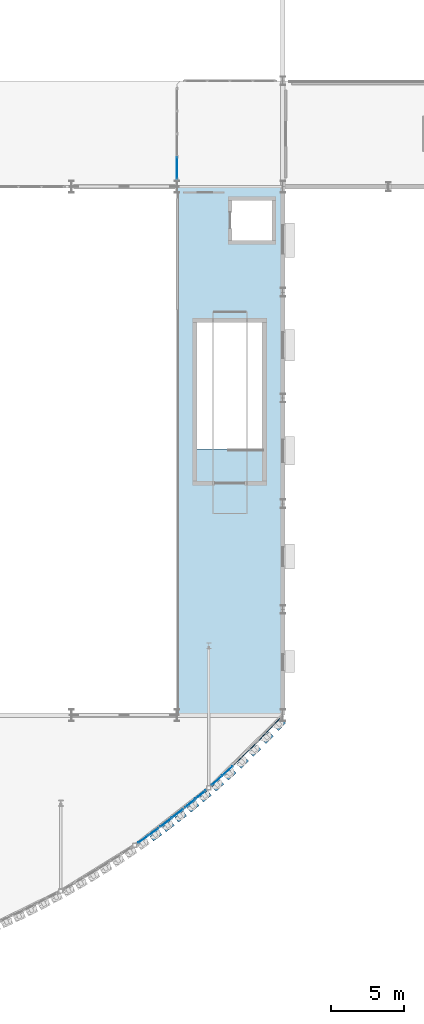
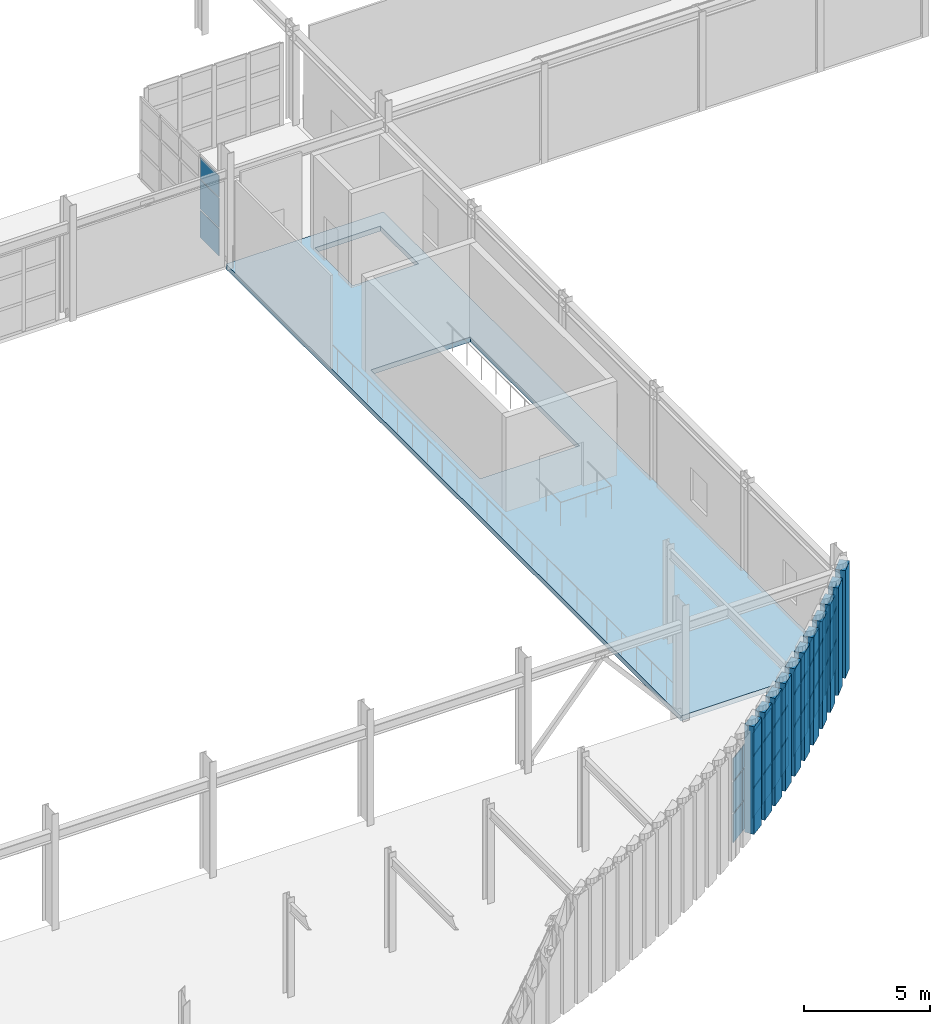
# One storey, part 95 of 126: 56 plates, 1 slab, 7 elements without a shape of their own.
"""IFC4 building model written with IfcOpenShell, lengths in metres."""

from ifc_helpers import new_model, si_unit, direction, frame, origin, origin_2d, place, context, subcontext, project, spatial, polyline, rectangle, outline, extrude, material, layer, layer_set, type_object, element, aggregate, save


model = new_model("IFC4")

# Units and contexts
model_context = context("Model", 3, precision=1e-05, world=origin(), true_north=direction((0.0, 1.0)))
body_context = subcontext(model_context, "Body", "Model", "MODEL_VIEW")
ifc_project = project(units=[si_unit("LENGTHUNIT", "METRE"), si_unit("AREAUNIT", "SQUARE_METRE"), si_unit("VOLUMEUNIT", "CUBIC_METRE"), si_unit("PLANEANGLEUNIT", "RADIAN"), si_unit("MASSUNIT", "GRAM", prefix="KILO")], contexts=[model_context])

# Site, building, storey
site_placement = place(None, origin())
site = spatial("IfcSite", under=ifc_project, at=site_placement, CompositionType="ELEMENT")
building_placement = place(site_placement, origin())
building = spatial("IfcBuilding", under=site, at=building_placement, Name="Solvadek Multi-Sports Hall", CompositionType="ELEMENT")
storey_placement = place(building_placement, frame((0.0, 0.0, 9.60009765625)))
storey = spatial("IfcBuildingStorey", under=building, at=storey_placement, Name="L02", CompositionType="ELEMENT", Elevation=9.60009765625)

# Curtain wall, plates
ifc_material_1 = material(Name="Anodised aluminium", Category="aluminium")
ifc_layer_1 = layer(ifc_material_1, 0.159912109375, Name="Anodised aluminium")
ifc_layer_set_1 = layer_set([ifc_layer_1], Name="Anodised aluminium")
curtain_wall_type_1 = type_object("IfcCurtainWallType", Name="ENV-CW-199X420", PredefinedType="USERDEFINED", material=ifc_layer_set_1)
curtain_wall_1_placement = place(storey_placement, origin())
curtain_wall_1 = element("IfcCurtainWall", 1, at=curtain_wall_1_placement, inside=storey, type_object=curtain_wall_type_1, Name="L02 Crescent Curved Curtain Wall #110", ObjectType="CURTAIN WALL", PredefinedType="USERDEFINED")
ifc_material_2 = material(Name="Tempered laminated low-E glass", Category="glass")
ifc_layer_2 = layer(ifc_material_2, 0.02392578125, Name="Tempered laminated low-E glass")
ifc_layer_set_2 = layer_set([ifc_layer_2], Name="Tempered laminated low-E glass")
plate_type_1 = type_object("IfcPlateType", Name="ENV-CWP-01", PredefinedType="CURTAIN_PANEL", material=ifc_layer_set_2)
plate_1_placement = place(storey_placement, frame((132.319091796875, 1.561279296875, 0.06494140625), z_axis=(0.0, 0.0, 1.0), x_axis=(0.742155760329, 0.670227444536, 0.0)))
plate_1 = element("IfcPlate", 2, at=plate_1_placement, type_object=plate_type_1, Name="CW-35 panel 1.1", PredefinedType="CURTAIN_PANEL", context=body_context, shape_type="SweptSolid", body=[
    extrude(rectangle(XDim=0.90673828125, YDim=0.02392578125, at=origin_2d()), origin(), (0.0, 0.0, 1.0), 1.37255859375),
])
plate_2_placement = place(storey_placement, frame((132.319091796875, 1.561279296875, 1.50244140625), z_axis=(0.0, 0.0, 1.0), x_axis=(0.742155760329, 0.670227444536, 0.0)))
plate_2 = element("IfcPlate", 3, at=plate_2_placement, type_object=plate_type_1, Name="CW-35 panel 1.2", PredefinedType="CURTAIN_PANEL", context=body_context, shape_type="SweptSolid", body=[
    extrude(rectangle(XDim=0.90673828125, YDim=0.02392578125, at=origin_2d()), origin(), (0.0, 0.0, 1.0), 1.489013671875),
])
plate_3_placement = place(storey_placement, frame((132.319091796875, 1.561279296875, 3.056396484375), z_axis=(0.0, 0.0, 1.0), x_axis=(0.742155760329, 0.670227444536, 0.0)))
plate_3 = element("IfcPlate", 4, at=plate_3_placement, type_object=plate_type_1, Name="CW-35 panel 1.3", PredefinedType="CURTAIN_PANEL", context=body_context, shape_type="SweptSolid", body=[
    extrude(rectangle(XDim=0.90673828125, YDim=0.02392578125, at=origin_2d()), origin(), (0.0, 0.0, 1.0), 1.07861328125),
])
plate_4_placement = place(storey_placement, frame((133.03662109375, 2.209228515625, 0.06494140625), z_axis=(0.0, 0.0, 1.0), x_axis=(0.742155760329, 0.670227444536, 0.0)))
plate_4 = element("IfcPlate", 5, at=plate_4_placement, type_object=plate_type_1, Name="CW-35 panel 2.1", PredefinedType="CURTAIN_PANEL", context=body_context, shape_type="SweptSolid", body=[
    extrude(rectangle(XDim=0.90673828125, YDim=0.02392578125, at=origin_2d()), origin(), (0.0, 0.0, 1.0), 1.37255859375),
])
plate_5_placement = place(storey_placement, frame((133.03662109375, 2.209228515625, 1.50244140625), z_axis=(0.0, 0.0, 1.0), x_axis=(0.742155760329, 0.670227444536, 0.0)))
plate_5 = element("IfcPlate", 6, at=plate_5_placement, type_object=plate_type_1, Name="CW-35 panel 2.2", PredefinedType="CURTAIN_PANEL", context=body_context, shape_type="SweptSolid", body=[
    extrude(rectangle(XDim=0.90673828125, YDim=0.02392578125, at=origin_2d()), origin(), (0.0, 0.0, 1.0), 1.489013671875),
])
plate_6_placement = place(storey_placement, frame((133.03662109375, 2.209228515625, 3.056396484375), z_axis=(0.0, 0.0, 1.0), x_axis=(0.742155760329, 0.670227444536, 0.0)))
plate_6 = element("IfcPlate", 7, at=plate_6_placement, type_object=plate_type_1, Name="CW-35 panel 2.3", PredefinedType="CURTAIN_PANEL", context=body_context, shape_type="SweptSolid", body=[
    extrude(rectangle(XDim=0.90673828125, YDim=0.02392578125, at=origin_2d()), origin(), (0.0, 0.0, 1.0), 1.07861328125),
])
aggregate(curtain_wall_1, [plate_1, plate_2, plate_3, plate_4, plate_5, plate_6])

ifc_layer_3 = layer(ifc_material_1, 0.159912109375, Name="Anodised aluminium")
ifc_layer_set_3 = layer_set([ifc_layer_3], Name="Anodised aluminium")
curtain_wall_type_2 = type_object("IfcCurtainWallType", Name="ENV-CW-624X400", PredefinedType="USERDEFINED", material=ifc_layer_set_3)
curtain_wall_2_placement = place(storey_placement, origin())
curtain_wall_2 = element("IfcCurtainWall", 8, at=curtain_wall_2_placement, inside=storey, type_object=curtain_wall_type_2, Name="L02 Perimeter Bay Curtain Wall #210", ObjectType="CURTAIN WALL", PredefinedType="USERDEFINED")
plate_7_placement = place(storey_placement, frame((129.60009765625, 43.27490234375, 0.06494140625), z_axis=(0.0, 0.0, 1.0), x_axis=(0.0, 1.0, 0.0)))
plate_7 = element("IfcPlate", 9, at=plate_7_placement, type_object=plate_type_1, Name="CW-56 panel 1.1", PredefinedType="CURTAIN_PANEL", context=body_context, shape_type="SweptSolid", body=[
    extrude(rectangle(XDim=1.469970703125, YDim=0.02392578125, at=origin_2d()), origin(), (0.0, 0.0, 1.0), 1.302490234375),
])
plate_8_placement = place(storey_placement, frame((129.60009765625, 43.27490234375, 1.432373046875), z_axis=(0.0, 0.0, 1.0), x_axis=(0.0, 1.0, 0.0)))
plate_8 = element("IfcPlate", 10, at=plate_8_placement, type_object=plate_type_1, Name="CW-56 panel 1.2", PredefinedType="CURTAIN_PANEL", context=body_context, shape_type="SweptSolid", body=[
    extrude(rectangle(XDim=1.469970703125, YDim=0.02392578125, at=origin_2d()), origin(), (0.0, 0.0, 1.0), 1.4150390625),
])
plate_9_placement = place(storey_placement, frame((129.60009765625, 43.27490234375, 2.912353515625), z_axis=(0.0, 0.0, 1.0), x_axis=(0.0, 1.0, 0.0)))
plate_9 = element("IfcPlate", 11, at=plate_9_placement, type_object=plate_type_1, Name="CW-56 panel 1.3", PredefinedType="CURTAIN_PANEL", context=body_context, shape_type="SweptSolid", body=[
    extrude(rectangle(XDim=1.469970703125, YDim=0.02392578125, at=origin_2d()), origin(), (0.0, 0.0, 1.0), 1.0224609375),
])
aggregate(curtain_wall_2, [plate_7, plate_8, plate_9])

ifc_layer_4 = layer(ifc_material_1, 0.159912109375, Name="Anodised aluminium")
ifc_layer_set_4 = layer_set([ifc_layer_4], Name="Anodised aluminium")
curtain_wall_type_3 = type_object("IfcCurtainWallType", Name="ENV-CW-229X420", PredefinedType="USERDEFINED", material=ifc_layer_set_4)
curtain_wall_3_placement = place(storey_placement, origin())
curtain_wall_3 = element("IfcCurtainWall", 12, at=curtain_wall_3_placement, inside=storey, type_object=curtain_wall_type_3, Name="L02 Crescent Curved Curtain Wall #112", ObjectType="CURTAIN WALL", PredefinedType="USERDEFINED")
ifc_layer_5 = layer(ifc_material_2, 0.028076171875, Name="Tempered laminated low-E glass")
ifc_layer_set_5 = layer_set([ifc_layer_5], Name="Tempered laminated low-E glass")
plate_type_2 = type_object("IfcPlateType", Name="ENV-CWP-02", PredefinedType="CURTAIN_PANEL", material=ifc_layer_set_5)
plate_10_placement = place(storey_placement, frame((133.744873046875, 2.87158203125, 0.06494140625), z_axis=(0.0, 0.0, 1.0), x_axis=(0.715032381235, 0.699091334366, 0.0)))
plate_10 = element("IfcPlate", 13, at=plate_10_placement, type_object=plate_type_2, Name="CW-36 panel 1.1", PredefinedType="CURTAIN_PANEL", context=body_context, shape_type="SweptSolid", body=[
    extrude(rectangle(XDim=0.67333984375, YDim=0.028076171875, at=origin_2d()), origin(), (0.0, 0.0, 1.0), 1.37255859375),
])
plate_11_placement = place(storey_placement, frame((133.744873046875, 2.87158203125, 1.50244140625), z_axis=(0.0, 0.0, 1.0), x_axis=(0.715032381235, 0.699091334366, 0.0)))
plate_11 = element("IfcPlate", 14, at=plate_11_placement, type_object=plate_type_2, Name="CW-36 panel 1.2", PredefinedType="CURTAIN_PANEL", context=body_context, shape_type="SweptSolid", body=[
    extrude(rectangle(XDim=0.67333984375, YDim=0.028076171875, at=origin_2d()), origin(), (0.0, 0.0, 1.0), 1.489013671875),
])
plate_12_placement = place(storey_placement, frame((133.744873046875, 2.87158203125, 3.056396484375), z_axis=(0.0, 0.0, 1.0), x_axis=(0.715032381235, 0.699091334366, 0.0)))
plate_12 = element("IfcPlate", 15, at=plate_12_placement, type_object=plate_type_2, Name="CW-36 panel 1.3", PredefinedType="CURTAIN_PANEL", context=body_context, shape_type="SweptSolid", body=[
    extrude(rectangle(XDim=0.67333984375, YDim=0.028076171875, at=origin_2d()), origin(), (0.0, 0.0, 1.0), 1.07861328125),
])
plate_13_placement = place(storey_placement, frame((134.280029296875, 3.394775390625, 0.06494140625), z_axis=(0.0, 0.0, 1.0), x_axis=(0.715032381235, 0.699091334366, 0.0)))
plate_13 = element("IfcPlate", 16, at=plate_13_placement, type_object=plate_type_2, Name="CW-36 panel 2.1", PredefinedType="CURTAIN_PANEL", context=body_context, shape_type="SweptSolid", body=[
    extrude(rectangle(XDim=0.703125, YDim=0.028076171875, at=origin_2d()), origin(), (0.0, 0.0, 1.0), 1.37255859375),
])
plate_14_placement = place(storey_placement, frame((134.280029296875, 3.394775390625, 1.50244140625), z_axis=(0.0, 0.0, 1.0), x_axis=(0.715032381235, 0.699091334366, 0.0)))
plate_14 = element("IfcPlate", 17, at=plate_14_placement, type_object=plate_type_2, Name="CW-36 panel 2.2", PredefinedType="CURTAIN_PANEL", context=body_context, shape_type="SweptSolid", body=[
    extrude(rectangle(XDim=0.703125, YDim=0.028076171875, at=origin_2d()), origin(), (0.0, 0.0, 1.0), 1.489013671875),
])
plate_15_placement = place(storey_placement, frame((134.280029296875, 3.394775390625, 3.056396484375), z_axis=(0.0, 0.0, 1.0), x_axis=(0.715032381235, 0.699091334366, 0.0)))
plate_15 = element("IfcPlate", 18, at=plate_15_placement, type_object=plate_type_2, Name="CW-36 panel 2.3", PredefinedType="CURTAIN_PANEL", context=body_context, shape_type="SweptSolid", body=[
    extrude(rectangle(XDim=0.703125, YDim=0.028076171875, at=origin_2d()), origin(), (0.0, 0.0, 1.0), 1.07861328125),
])
plate_16_placement = place(storey_placement, frame((134.81494140625, 3.917724609375, 0.06494140625), z_axis=(0.0, 0.0, 1.0), x_axis=(0.715032381235, 0.699091334366, 0.0)))
plate_16 = element("IfcPlate", 19, at=plate_16_placement, type_object=plate_type_2, Name="CW-36 panel 3.1", PredefinedType="CURTAIN_PANEL", context=body_context, shape_type="SweptSolid", body=[
    extrude(rectangle(XDim=0.67333984375, YDim=0.028076171875, at=origin_2d()), origin(), (0.0, 0.0, 1.0), 1.37255859375),
])
plate_17_placement = place(storey_placement, frame((134.81494140625, 3.917724609375, 1.50244140625), z_axis=(0.0, 0.0, 1.0), x_axis=(0.715032381235, 0.699091334366, 0.0)))
plate_17 = element("IfcPlate", 20, at=plate_17_placement, type_object=plate_type_2, Name="CW-36 panel 3.2", PredefinedType="CURTAIN_PANEL", context=body_context, shape_type="SweptSolid", body=[
    extrude(rectangle(XDim=0.67333984375, YDim=0.028076171875, at=origin_2d()), origin(), (0.0, 0.0, 1.0), 1.489013671875),
])
plate_18_placement = place(storey_placement, frame((134.81494140625, 3.917724609375, 3.056396484375), z_axis=(0.0, 0.0, 1.0), x_axis=(0.715032381235, 0.699091334366, 0.0)))
plate_18 = element("IfcPlate", 21, at=plate_18_placement, type_object=plate_type_2, Name="CW-36 panel 3.3", PredefinedType="CURTAIN_PANEL", context=body_context, shape_type="SweptSolid", body=[
    extrude(rectangle(XDim=0.67333984375, YDim=0.028076171875, at=origin_2d()), origin(), (0.0, 0.0, 1.0), 1.07861328125),
])
aggregate(curtain_wall_3, [plate_10, plate_11, plate_12, plate_13, plate_14, plate_15, plate_16, plate_17, plate_18])

ifc_layer_6 = layer(ifc_material_1, 0.159912109375, Name="Anodised aluminium")
ifc_layer_set_6 = layer_set([ifc_layer_6], Name="Anodised aluminium")
curtain_wall_type_4 = type_object("IfcCurtainWallType", Name="ENV-CW-218X420", PredefinedType="USERDEFINED", material=ifc_layer_set_6)
curtain_wall_4_placement = place(storey_placement, origin())
curtain_wall_4 = element("IfcCurtainWall", 22, at=curtain_wall_4_placement, inside=storey, type_object=curtain_wall_type_4, Name="L02 Crescent Curved Curtain Wall #114", ObjectType="CURTAIN WALL", PredefinedType="USERDEFINED")
ifc_layer_7 = layer(ifc_material_2, 0.031982421875, Name="Tempered laminated low-E glass")
ifc_layer_set_7 = layer_set([ifc_layer_7], Name="Tempered laminated low-E glass")
plate_type_3 = type_object("IfcPlateType", Name="ENV-CWP-03", PredefinedType="CURTAIN_PANEL", material=ifc_layer_set_7)
plate_19_placement = place(storey_placement, frame((135.40087890625, 4.514404296875, 0.06005859375), z_axis=(0.0, 0.0, 1.0), x_axis=(0.685577818651, 0.727999350669, 0.0)))
plate_19 = element("IfcPlate", 23, at=plate_19_placement, type_object=plate_type_3, Name="CW-37 panel 1.1", PredefinedType="CURTAIN_PANEL", context=body_context, shape_type="SweptSolid", body=[
    extrude(rectangle(XDim=0.62939453125, YDim=0.031982421875, at=origin_2d()), origin(), (0.0, 0.0, 1.0), 1.3798828125),
])
plate_20_placement = place(storey_placement, frame((135.40087890625, 4.514404296875, 1.5), z_axis=(0.0, 0.0, 1.0), x_axis=(0.685577818651, 0.727999350669, 0.0)))
plate_20 = element("IfcPlate", 24, at=plate_20_placement, type_object=plate_type_3, Name="CW-37 panel 1.2", PredefinedType="CURTAIN_PANEL", context=body_context, shape_type="SweptSolid", body=[
    extrude(rectangle(XDim=0.62939453125, YDim=0.031982421875, at=origin_2d()), origin(), (0.0, 0.0, 1.0), 1.493896484375),
])
plate_21_placement = place(storey_placement, frame((135.40087890625, 4.514404296875, 3.053955078125), z_axis=(0.0, 0.0, 1.0), x_axis=(0.685577818651, 0.727999350669, 0.0)))
plate_21 = element("IfcPlate", 25, at=plate_21_placement, type_object=plate_type_3, Name="CW-37 panel 1.3", PredefinedType="CURTAIN_PANEL", context=body_context, shape_type="SweptSolid", body=[
    extrude(rectangle(XDim=0.62939453125, YDim=0.031982421875, at=origin_2d()), origin(), (0.0, 0.0, 1.0), 1.0859375),
])
plate_22_placement = place(storey_placement, frame((135.887939453125, 5.031494140625, 0.06005859375), z_axis=(0.0, 0.0, 1.0), x_axis=(0.685577818651, 0.727999350669, 0.0)))
plate_22 = element("IfcPlate", 26, at=plate_22_placement, type_object=plate_type_3, Name="CW-37 panel 2.1", PredefinedType="CURTAIN_PANEL", context=body_context, shape_type="SweptSolid", body=[
    extrude(rectangle(XDim=0.661865234375, YDim=0.031982421875, at=origin_2d()), origin(), (0.0, 0.0, 1.0), 1.3798828125),
])
plate_23_placement = place(storey_placement, frame((135.887939453125, 5.031494140625, 1.5), z_axis=(0.0, 0.0, 1.0), x_axis=(0.685577818651, 0.727999350669, 0.0)))
plate_23 = element("IfcPlate", 27, at=plate_23_placement, type_object=plate_type_3, Name="CW-37 panel 2.2", PredefinedType="CURTAIN_PANEL", context=body_context, shape_type="SweptSolid", body=[
    extrude(rectangle(XDim=0.661865234375, YDim=0.031982421875, at=origin_2d()), origin(), (0.0, 0.0, 1.0), 1.493896484375),
])
plate_24_placement = place(storey_placement, frame((135.887939453125, 5.031494140625, 3.053955078125), z_axis=(0.0, 0.0, 1.0), x_axis=(0.685577818651, 0.727999350669, 0.0)))
plate_24 = element("IfcPlate", 28, at=plate_24_placement, type_object=plate_type_3, Name="CW-37 panel 2.3", PredefinedType="CURTAIN_PANEL", context=body_context, shape_type="SweptSolid", body=[
    extrude(rectangle(XDim=0.661865234375, YDim=0.031982421875, at=origin_2d()), origin(), (0.0, 0.0, 1.0), 1.0859375),
])
plate_25_placement = place(storey_placement, frame((136.375244140625, 5.548828125, 0.06005859375), z_axis=(0.0, 0.0, 1.0), x_axis=(0.685577818651, 0.727999350669, 0.0)))
plate_25 = element("IfcPlate", 29, at=plate_25_placement, type_object=plate_type_3, Name="CW-37 panel 3.1", PredefinedType="CURTAIN_PANEL", context=body_context, shape_type="SweptSolid", body=[
    extrude(rectangle(XDim=0.62939453125, YDim=0.031982421875, at=origin_2d()), origin(), (0.0, 0.0, 1.0), 1.3798828125),
])
plate_26_placement = place(storey_placement, frame((136.375244140625, 5.548828125, 1.5), z_axis=(0.0, 0.0, 1.0), x_axis=(0.685577818651, 0.727999350669, 0.0)))
plate_26 = element("IfcPlate", 30, at=plate_26_placement, type_object=plate_type_3, Name="CW-37 panel 3.2", PredefinedType="CURTAIN_PANEL", context=body_context, shape_type="SweptSolid", body=[
    extrude(rectangle(XDim=0.62939453125, YDim=0.031982421875, at=origin_2d()), origin(), (0.0, 0.0, 1.0), 1.493896484375),
])
plate_27_placement = place(storey_placement, frame((136.375244140625, 5.548828125, 3.053955078125), z_axis=(0.0, 0.0, 1.0), x_axis=(0.685577818651, 0.727999350669, 0.0)))
plate_27 = element("IfcPlate", 31, at=plate_27_placement, type_object=plate_type_3, Name="CW-37 panel 3.3", PredefinedType="CURTAIN_PANEL", context=body_context, shape_type="SweptSolid", body=[
    extrude(rectangle(XDim=0.62939453125, YDim=0.031982421875, at=origin_2d()), origin(), (0.0, 0.0, 1.0), 1.0859375),
])
aggregate(curtain_wall_4, [plate_19, plate_20, plate_21, plate_22, plate_23, plate_24, plate_25, plate_26, plate_27])

ifc_layer_8 = layer(ifc_material_1, 0.159912109375, Name="Anodised aluminium")
ifc_layer_set_8 = layer_set([ifc_layer_8], Name="Anodised aluminium")
curtain_wall_type_5 = type_object("IfcCurtainWallType", Name="ENV-CW-180X420", PredefinedType="USERDEFINED", material=ifc_layer_set_8)
curtain_wall_5_placement = place(storey_placement, origin())
curtain_wall_5 = element("IfcCurtainWall", 32, at=curtain_wall_5_placement, inside=storey, type_object=curtain_wall_type_5, Name="L02 Crescent Curved Curtain Wall #104", ObjectType="CURTAIN WALL", PredefinedType="USERDEFINED")
ifc_layer_9 = layer(ifc_material_2, 0.035888671875, Name="Tempered laminated low-E glass")
ifc_layer_set_9 = layer_set([ifc_layer_9], Name="Tempered laminated low-E glass")
plate_type_4 = type_object("IfcPlateType", Name="ENV-CWP-04", PredefinedType="CURTAIN_PANEL", material=ifc_layer_set_9)
plate_28_placement = place(storey_placement, frame((127.293212890625, -2.445068359375, 0.06494140625), z_axis=(0.0, 0.0, 1.0), x_axis=(0.812062299686, 0.583570751005, 0.0)))
plate_28 = element("IfcPlate", 33, at=plate_28_placement, type_object=plate_type_4, Name="CW-33 panel 1.1", PredefinedType="CURTAIN_PANEL", context=body_context, shape_type="SweptSolid", body=[
    extrude(rectangle(XDim=0.8017578125, YDim=0.035888671875, at=origin_2d()), origin(), (0.0, 0.0, 1.0), 1.37255859375),
])
plate_29_placement = place(storey_placement, frame((127.293212890625, -2.445068359375, 1.50244140625), z_axis=(0.0, 0.0, 1.0), x_axis=(0.812062299686, 0.583570751005, 0.0)))
plate_29 = element("IfcPlate", 34, at=plate_29_placement, type_object=plate_type_4, Name="CW-33 panel 1.2", PredefinedType="CURTAIN_PANEL", context=body_context, shape_type="SweptSolid", body=[
    extrude(rectangle(XDim=0.8017578125, YDim=0.035888671875, at=origin_2d()), origin(), (0.0, 0.0, 1.0), 1.489013671875),
])
plate_30_placement = place(storey_placement, frame((127.293212890625, -2.445068359375, 3.056396484375), z_axis=(0.0, 0.0, 1.0), x_axis=(0.812062299686, 0.583570751005, 0.0)))
plate_30 = element("IfcPlate", 35, at=plate_30_placement, type_object=plate_type_4, Name="CW-33 panel 1.3", PredefinedType="CURTAIN_PANEL", context=body_context, shape_type="SweptSolid", body=[
    extrude(rectangle(XDim=0.8017578125, YDim=0.035888671875, at=origin_2d()), origin(), (0.0, 0.0, 1.0), 1.07861328125),
])
plate_31_placement = place(storey_placement, frame((127.997314453125, -1.939208984375, 0.06494140625), z_axis=(0.0, 0.0, 1.0), x_axis=(0.812062299686, 0.583570751005, 0.0)))
plate_31 = element("IfcPlate", 36, at=plate_31_placement, type_object=plate_type_4, Name="CW-33 panel 2.1", PredefinedType="CURTAIN_PANEL", context=body_context, shape_type="SweptSolid", body=[
    extrude(rectangle(XDim=0.8017578125, YDim=0.035888671875, at=origin_2d()), origin(), (0.0, 0.0, 1.0), 1.37255859375),
])
plate_32_placement = place(storey_placement, frame((127.997314453125, -1.939208984375, 1.50244140625), z_axis=(0.0, 0.0, 1.0), x_axis=(0.812062299686, 0.583570751005, 0.0)))
plate_32 = element("IfcPlate", 37, at=plate_32_placement, type_object=plate_type_4, Name="CW-33 panel 2.2", PredefinedType="CURTAIN_PANEL", context=body_context, shape_type="SweptSolid", body=[
    extrude(rectangle(XDim=0.8017578125, YDim=0.035888671875, at=origin_2d()), origin(), (0.0, 0.0, 1.0), 1.489013671875),
])
plate_33_placement = place(storey_placement, frame((127.997314453125, -1.939208984375, 3.056396484375), z_axis=(0.0, 0.0, 1.0), x_axis=(0.812062299686, 0.583570751005, 0.0)))
plate_33 = element("IfcPlate", 38, at=plate_33_placement, type_object=plate_type_4, Name="CW-33 panel 2.3", PredefinedType="CURTAIN_PANEL", context=body_context, shape_type="SweptSolid", body=[
    extrude(rectangle(XDim=0.8017578125, YDim=0.035888671875, at=origin_2d()), origin(), (0.0, 0.0, 1.0), 1.07861328125),
])
aggregate(curtain_wall_5, [plate_28, plate_29, plate_30, plate_31, plate_32, plate_33])

ifc_layer_10 = layer(ifc_material_1, 0.159912109375, Name="Anodised aluminium")
ifc_layer_set_10 = layer_set([ifc_layer_10], Name="Anodised aluminium")
curtain_wall_type_6 = type_object("IfcCurtainWallType", Name="ENV-CW-207X420", PredefinedType="USERDEFINED", material=ifc_layer_set_10)
curtain_wall_6_placement = place(storey_placement, origin())
curtain_wall_6 = element("IfcCurtainWall", 39, at=curtain_wall_6_placement, inside=storey, type_object=curtain_wall_type_6, Name="L02 Crescent Curved Curtain Wall #106", ObjectType="CURTAIN WALL", PredefinedType="USERDEFINED")
ifc_layer_11 = layer(ifc_material_2, 0.0419921875, Name="Tempered laminated low-E glass")
ifc_layer_set_11 = layer_set([ifc_layer_11], Name="Tempered laminated low-E glass")
plate_type_5 = type_object("IfcPlateType", Name="ENV-CWP-05", PredefinedType="CURTAIN_PANEL", material=ifc_layer_set_11)
plate_34_placement = place(storey_placement, frame((128.8447265625, -1.30517578125, 0.06005859375), z_axis=(0.0, 0.0, 1.0), x_axis=(0.79050061562, 0.612461245063, 0.0)))
plate_34 = element("IfcPlate", 40, at=plate_34_placement, type_object=plate_type_5, Name="CW-34 panel 1.1", PredefinedType="CURTAIN_PANEL", context=body_context, shape_type="SweptSolid", body=[
    extrude(rectangle(XDim=0.93505859375, YDim=0.0419921875, at=origin_2d()), origin(), (0.0, 0.0, 1.0), 1.3798828125),
])
plate_35_placement = place(storey_placement, frame((128.8447265625, -1.30517578125, 1.5), z_axis=(0.0, 0.0, 1.0), x_axis=(0.79050061562, 0.612461245063, 0.0)))
plate_35 = element("IfcPlate", 41, at=plate_35_placement, type_object=plate_type_5, Name="CW-34 panel 1.2", PredefinedType="CURTAIN_PANEL", context=body_context, shape_type="SweptSolid", body=[
    extrude(rectangle(XDim=0.93505859375, YDim=0.0419921875, at=origin_2d()), origin(), (0.0, 0.0, 1.0), 1.493896484375),
])
plate_36_placement = place(storey_placement, frame((128.8447265625, -1.30517578125, 3.053955078125), z_axis=(0.0, 0.0, 1.0), x_axis=(0.79050061562, 0.612461245063, 0.0)))
plate_36 = element("IfcPlate", 42, at=plate_36_placement, type_object=plate_type_5, Name="CW-34 panel 1.3", PredefinedType="CURTAIN_PANEL", context=body_context, shape_type="SweptSolid", body=[
    extrude(rectangle(XDim=0.93505859375, YDim=0.0419921875, at=origin_2d()), origin(), (0.0, 0.0, 1.0), 1.0859375),
])
plate_37_placement = place(storey_placement, frame((129.63525390625, -0.692626953125, 0.06005859375), z_axis=(0.0, 0.0, 1.0), x_axis=(0.79050061562, 0.612461245063, 0.0)))
plate_37 = element("IfcPlate", 43, at=plate_37_placement, type_object=plate_type_5, Name="CW-34 panel 2.1", PredefinedType="CURTAIN_PANEL", context=body_context, shape_type="SweptSolid", body=[
    extrude(rectangle(XDim=0.93505859375, YDim=0.0419921875, at=origin_2d()), origin(), (0.0, 0.0, 1.0), 1.3798828125),
])
plate_38_placement = place(storey_placement, frame((129.63525390625, -0.692626953125, 1.5), z_axis=(0.0, 0.0, 1.0), x_axis=(0.79050061562, 0.612461245063, 0.0)))
plate_38 = element("IfcPlate", 44, at=plate_38_placement, type_object=plate_type_5, Name="CW-34 panel 2.2", PredefinedType="CURTAIN_PANEL", context=body_context, shape_type="SweptSolid", body=[
    extrude(rectangle(XDim=0.93505859375, YDim=0.0419921875, at=origin_2d()), origin(), (0.0, 0.0, 1.0), 1.493896484375),
])
plate_39_placement = place(storey_placement, frame((129.63525390625, -0.692626953125, 3.053955078125), z_axis=(0.0, 0.0, 1.0), x_axis=(0.79050061562, 0.612461245063, 0.0)))
plate_39 = element("IfcPlate", 45, at=plate_39_placement, type_object=plate_type_5, Name="CW-34 panel 2.3", PredefinedType="CURTAIN_PANEL", context=body_context, shape_type="SweptSolid", body=[
    extrude(rectangle(XDim=0.93505859375, YDim=0.0419921875, at=origin_2d()), origin(), (0.0, 0.0, 1.0), 1.0859375),
])
aggregate(curtain_wall_6, [plate_34, plate_35, plate_36, plate_37, plate_38, plate_39])

ifc_layer_12 = layer(ifc_material_1, 0.159912109375, Name="Anodised aluminium")
ifc_layer_set_12 = layer_set([ifc_layer_12], Name="Anodised aluminium")
curtain_wall_type_7 = type_object("IfcCurtainWallType", Name="ENV-CW-192X420", PredefinedType="USERDEFINED", material=ifc_layer_set_12)
curtain_wall_7_placement = place(storey_placement, origin())
curtain_wall_7 = element("IfcCurtainWall", 46, at=curtain_wall_7_placement, inside=storey, type_object=curtain_wall_type_7, Name="L02 Crescent Curved Curtain Wall #108", ObjectType="CURTAIN WALL", PredefinedType="USERDEFINED")
ifc_layer_13 = layer(ifc_material_2, 0.048095703125, Name="Tempered laminated low-E glass")
ifc_layer_set_13 = layer_set([ifc_layer_13], Name="Tempered laminated low-E glass")
plate_type_6 = type_object("IfcPlateType", Name="ENV-CWP-06", PredefinedType="CURTAIN_PANEL", material=ifc_layer_set_13)
plate_40_placement = place(storey_placement, frame((130.484619140625, -0.009765625, 0.06005859375), z_axis=(0.0, 0.0, 1.0), x_axis=(0.767251161398, 0.641346751245, 0.0)))
plate_40 = element("IfcPlate", 47, at=plate_40_placement, type_object=plate_type_6, Name="CW-31 panel 1.1", PredefinedType="CURTAIN_PANEL", context=body_context, shape_type="SweptSolid", body=[
    extrude(rectangle(XDim=0.854736328125, YDim=0.048095703125, at=origin_2d()), origin(), (0.0, 0.0, 1.0), 1.3798828125),
])
plate_41_placement = place(storey_placement, frame((130.484619140625, -0.009765625, 1.5), z_axis=(0.0, 0.0, 1.0), x_axis=(0.767251161398, 0.641346751245, 0.0)))
plate_41 = element("IfcPlate", 48, at=plate_41_placement, type_object=plate_type_6, Name="CW-31 panel 1.2", PredefinedType="CURTAIN_PANEL", context=body_context, shape_type="SweptSolid", body=[
    extrude(rectangle(XDim=0.854736328125, YDim=0.048095703125, at=origin_2d()), origin(), (0.0, 0.0, 1.0), 1.493896484375),
])
plate_42_placement = place(storey_placement, frame((130.484619140625, -0.009765625, 3.053955078125), z_axis=(0.0, 0.0, 1.0), x_axis=(0.767251161398, 0.641346751245, 0.0)))
plate_42 = element("IfcPlate", 49, at=plate_42_placement, type_object=plate_type_6, Name="CW-31 panel 1.3", PredefinedType="CURTAIN_PANEL", context=body_context, shape_type="SweptSolid", body=[
    extrude(rectangle(XDim=0.854736328125, YDim=0.048095703125, at=origin_2d()), origin(), (0.0, 0.0, 1.0), 1.0859375),
])
plate_43_placement = place(storey_placement, frame((131.1943359375, 0.583251953125, 0.06005859375), z_axis=(0.0, 0.0, 1.0), x_axis=(0.767251161398, 0.641346751245, 0.0)))
plate_43 = element("IfcPlate", 50, at=plate_43_placement, type_object=plate_type_6, Name="CW-31 panel 2.1", PredefinedType="CURTAIN_PANEL", context=body_context, shape_type="SweptSolid", body=[
    extrude(rectangle(XDim=0.854736328125, YDim=0.048095703125, at=origin_2d()), origin(), (0.0, 0.0, 1.0), 1.3798828125),
])
plate_44_placement = place(storey_placement, frame((131.1943359375, 0.583251953125, 1.5), z_axis=(0.0, 0.0, 1.0), x_axis=(0.767251161398, 0.641346751245, 0.0)))
plate_44 = element("IfcPlate", 51, at=plate_44_placement, type_object=plate_type_6, Name="CW-31 panel 2.2", PredefinedType="CURTAIN_PANEL", context=body_context, shape_type="SweptSolid", body=[
    extrude(rectangle(XDim=0.854736328125, YDim=0.048095703125, at=origin_2d()), origin(), (0.0, 0.0, 1.0), 1.493896484375),
])
plate_45_placement = place(storey_placement, frame((131.1943359375, 0.583251953125, 3.053955078125), z_axis=(0.0, 0.0, 1.0), x_axis=(0.767251161398, 0.641346751245, 0.0)))
plate_45 = element("IfcPlate", 52, at=plate_45_placement, type_object=plate_type_6, Name="CW-31 panel 2.3", PredefinedType="CURTAIN_PANEL", context=body_context, shape_type="SweptSolid", body=[
    extrude(rectangle(XDim=0.854736328125, YDim=0.048095703125, at=origin_2d()), origin(), (0.0, 0.0, 1.0), 1.0859375),
])
aggregate(curtain_wall_7, [plate_40, plate_41, plate_42, plate_43, plate_44, plate_45])

# Plates
ifc_material_3 = material(Name="Perforated champagne-bronze anodised aluminium", Category="aluminium")
ifc_layer_14 = layer(ifc_material_3, 0.419921875, Name="Perforated champagne-bronze anodised aluminium")
ifc_layer_set_14 = layer_set([ifc_layer_14], Name="Perforated champagne-bronze anodised aluminium")
plate_type_7 = type_object("IfcPlateType", Name="ENV-FLT-520", PredefinedType="USERDEFINED", material=ifc_layer_set_14)
for number, where, z_axis, x_axis, name in (
    (53, (128.155029296875, -2.1953125, 0.0400390625), (0.0, 0.0, 1.0), (0.812061184697, 0.583572302554, 0.0), "L02 Half-Cylinder Colonnade Flute #208"),
    (54, (129.003662109375, -1.5615234375, 0.0400390625), (0.0, 0.0, 1.0), (0.790483393841, 0.61248347248, 0.0), "L02 Half-Cylinder Colonnade Flute #211"),
    (55, (129.84375, -0.91064453125, 0.0400390625), (0.0, 0.0, 1.0), (0.790483393841, 0.61248347248, 0.0), "L02 Half-Cylinder Colonnade Flute #212"),
    (56, (130.6923828125, -0.227294921875, 0.0400390625), (0.0, 0.0, 1.0), (0.767254598934, 0.641342638855, 0.0), "L02 Half-Cylinder Colonnade Flute #215"),
    (57, (131.532470703125, 0.474853515625, 0.0400390625), (0.0, 0.0, 1.0), (0.767254598934, 0.641342638855, 0.0), "L02 Half-Cylinder Colonnade Flute #216"),
    (58, (132.381103515625, 1.212890625, 0.0400390625), (0.0, 0.0, 1.0), (0.742150841647, 0.670232891048, 0.0), "L02 Half-Cylinder Colonnade Flute #219"),
    (59, (133.22119140625, 1.971435546875, 0.0400390625), (0.0, 0.0, 1.0), (0.742150841647, 0.670232891048, 0.0), "L02 Half-Cylinder Colonnade Flute #220"),
    (60, (134.06982421875, 2.76953125, 0.0400390625), (0.0, 0.0, 1.0), (0.71499957752, 0.699124884514, 0.0), "L02 Half-Cylinder Colonnade Flute #223"),
    (61, (134.90966796875, 3.5908203125, 0.0400390625), (0.0, 0.0, 1.0), (0.71499957752, 0.699124884514, 0.0), "L02 Half-Cylinder Colonnade Flute #224"),
    (62, (135.75830078125, 4.456298828125, 0.0400390625), (0.0, 0.0, 1.0), (0.685588703424, 0.727989100013, 0.0), "L02 Half-Cylinder Colonnade Flute #227"),
    (63, (136.598388671875, 5.348388671875, 0.0400390625), (0.0, 0.0, 1.0), (0.685588703424, 0.727989100013, 0.0), "L02 Half-Cylinder Colonnade Flute #228"),
):
    element("IfcPlate", number, at=place(storey_placement, frame(where, z_axis=z_axis, x_axis=x_axis)), inside=storey, type_object=plate_type_7, Name=name, ObjectType="FLANGED_SHEET", PredefinedType="USERDEFINED", context=body_context, shape_type="SweptSolid", body=[
        extrude(rectangle(XDim=0.719970703125, YDim=0.419921875, at=origin_2d()), origin(), (0.0, 0.0, 1.0), 5.199951171875),
    ])

# Slab
ifc_material_4 = material(Name="Concrete M35", Category="concrete")
ifc_layer_15 = layer(ifc_material_4, 0.219970703125, Name="Concrete M35")
ifc_layer_set_15 = layer_set([ifc_layer_15], Name="Concrete M35")
slab_type = type_object("IfcSlabType", Name="STR-SLB-FLR220", PredefinedType="FLOOR", material=ifc_layer_set_15)
slab_placement = place(storey_placement, frame((0.0, 0.0, -0.239990234375)))
element("IfcSlab", 64, at=slab_placement, inside=storey, type_object=slab_type, Name="L02 Second Floor Slab #85", PredefinedType="FLOOR", context=body_context, shape_type="SweptSolid", body=[
    extrude(outline(polyline([(129.60009765625, 42.0), (136.800048828125, 42.0), (136.800048828125, 6.0), (129.60009765625, 6.0), (129.60009765625, 42.0)]), holes=[polyline([(136.199951171875, 38.199951171875), (136.199951171875, 41.199951171875), (133.199951171875, 41.199951171875), (133.199951171875, 38.199951171875), (136.199951171875, 38.199951171875)]), polyline([(135.449951171875, 32.800048828125), (130.89990234375, 32.800048828125), (130.89990234375, 24.14501953125), (135.449951171875, 24.14501953125), (135.449951171875, 32.800048828125)])]), origin(), (0.0, 0.0, 1.0), 0.239990234375),
])

save(model, "model.ifc")
